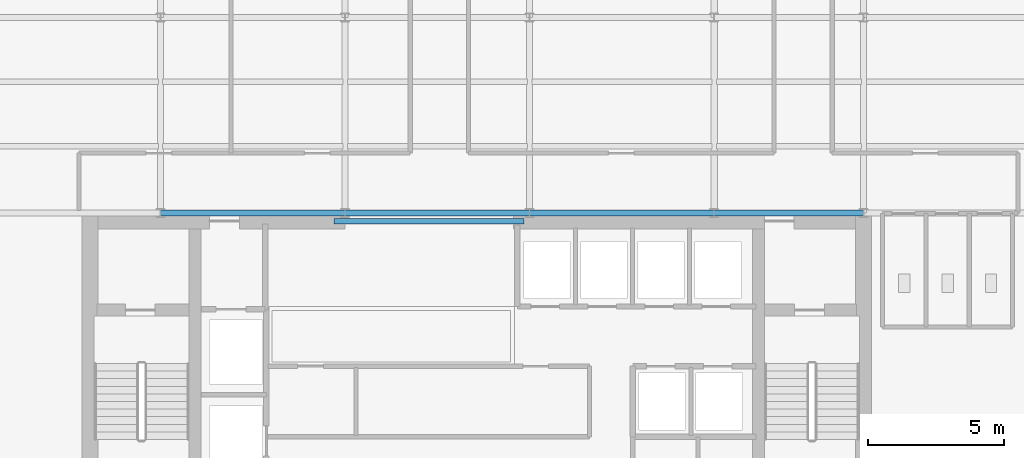
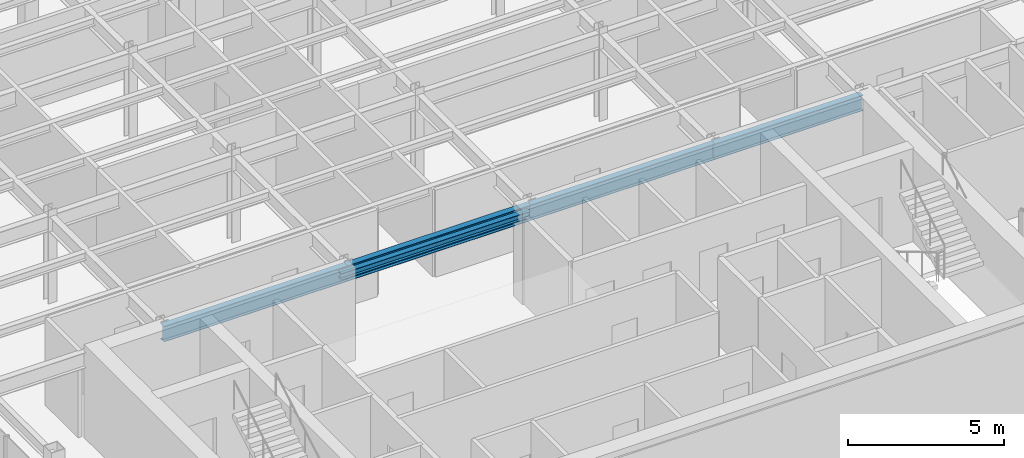
# One storey, part 4 of 22: 5 beams.
"""IFC4 building model written with IfcOpenShell, lengths in metres."""

from ifc_helpers import new_model, si_unit, derived_unit, direction, frame, origin, origin_2d, place, context, subcontext, project, spatial, i_section, extrude, source, transform, mapped, material, material_profile, profile_set, type_object, element, save


model = new_model("IFC4")

# Units and contexts
model_context = context("Model", 3, precision=1e-05, world=origin(), true_north=direction((0.0, 1.0)))
body_context = subcontext(model_context, "Body", "Model", "MODEL_VIEW")
ifc_project = project(units=[si_unit("LENGTHUNIT", "METRE"), si_unit("AREAUNIT", "SQUARE_METRE"), si_unit("VOLUMEUNIT", "CUBIC_METRE"), si_unit("PLANEANGLEUNIT", "RADIAN"), si_unit("MASSUNIT", "GRAM", prefix="KILO"), derived_unit("THERMALTRANSMITTANCEUNIT", [(si_unit("POWERUNIT", "WATT"), 1), (si_unit("LENGTHUNIT", "METRE"), -2), (si_unit("THERMODYNAMICTEMPERATUREUNIT", "KELVIN"), -1)])], contexts=[model_context])

# Site, building, storey
site_placement = place(None, origin())
site = spatial("IfcSite", under=ifc_project, at=site_placement, CompositionType="ELEMENT")
building_placement = place(site_placement, origin())
building = spatial("IfcBuilding", under=site, at=building_placement, Name="Skarnbrae Concourse Arena and Tower", CompositionType="ELEMENT")
storey_placement = place(building_placement, frame((0.0, 0.0, 269.75)))
storey = spatial("IfcBuildingStorey", under=building, at=storey_placement, Name="L70", CompositionType="ELEMENT", Elevation=269.75)

# Beams
ifc_material = material(Name="Steel CSA G40.21 350W", Category="steel")
ifc_material_profile_1 = material_profile(ifc_material, i_section(OverallWidth=0.202880859375, OverallDepth=0.251953125, WebThickness=0.008056640625, FlangeThickness=0.013427734375, at=origin_2d()), Name="W250X58")
ifc_profile_set_1 = profile_set([ifc_material_profile_1], Name="Steel CSA G40.21 350W")
beam_type_1 = type_object("IfcBeamType", Name="BM-LINTEL-W250X58", PredefinedType="LINTEL", material=ifc_profile_set_1)
shared_shape_1 = source(origin(), body_context, "Body", "SweptSolid", [
    extrude(i_section(OverallWidth=0.202880859375, OverallDepth=0.251953125, WebThickness=0.008056640625, FlangeThickness=0.013427734375, at=origin_2d()), origin(), (0.0, 0.0, 1.0), 7.0),
])
beam_1_placement = place(storey_placement, frame((14.0, 13.699951171875, 3.27392578125), z_axis=(1.0, 0.0, 0.0), x_axis=(0.0, 1.0, 0.0)))
element("IfcBeam", 1, at=beam_1_placement, inside=storey, type_object=beam_type_1, Name="L70 Core portal coupling lintel", PredefinedType="LINTEL", context=body_context, shape_type="MappedRepresentation", body=[
    mapped(shared_shape_1, transform((0.0, 0.0, 0.0))),
])
ifc_material_profile_2 = material_profile(ifc_material, i_section(OverallWidth=0.22802734375, OverallDepth=0.60791015625, WebThickness=0.01123046875, FlangeThickness=0.017333984375, at=origin_2d()), Name="W610X113")
ifc_profile_set_2 = profile_set([ifc_material_profile_2], Name="Steel CSA G40.21 350W")
beam_type_2 = type_object("IfcBeamType", Name="BM-GIRD-W610X113", PredefinedType="BEAM", material=ifc_profile_set_2)
shared_shape_2 = source(origin(), body_context, "Body", "SweptSolid", [
    extrude(i_section(OverallWidth=0.22802734375, OverallDepth=0.60791015625, WebThickness=0.01123046875, FlangeThickness=0.017333984375, at=origin_2d()), origin(), (0.0, 0.0, 1.0), 6.7998046875),
])
beam_2_placement = place(storey_placement, frame((7.60009765625, 14.0, 3.095947265625), z_axis=(1.0, 0.0, 0.0), x_axis=(0.0, 1.0, 0.0)))
element("IfcBeam", 2, at=beam_2_placement, inside=storey, type_object=beam_type_2, Name="L70 Primary E-W girder Y14.0-2", PredefinedType="BEAM", context=body_context, shape_type="MappedRepresentation", body=[
    mapped(shared_shape_2, transform((0.0, 0.0, 0.0))),
])
shared_shape_3 = source(origin(), body_context, "Body", "SweptSolid", [
    extrude(i_section(OverallWidth=0.22802734375, OverallDepth=0.60791015625, WebThickness=0.01123046875, FlangeThickness=0.017333984375, at=origin_2d()), origin(), (0.0, 0.0, 1.0), 6.800048828125),
])
for number, where, z_axis, x_axis, name in (
    (3, (14.39990234375, 14.0, 3.095947265625), (1.0, 0.0, 0.0), (0.0, 1.0, 0.0), "L70 Primary E-W girder Y14.0-3"),
    (4, (21.199951171875, 14.0, 3.095947265625), (1.0, 0.0, 0.0), (0.0, 1.0, 0.0), "L70 Primary E-W girder Y14.0-4"),
):
    element("IfcBeam", number, at=place(storey_placement, frame(where, z_axis=z_axis, x_axis=x_axis)), inside=storey, type_object=beam_type_2, Name=name, PredefinedType="BEAM", context=body_context, shape_type="MappedRepresentation", body=[
        mapped(shared_shape_3, transform((0.0, 0.0, 0.0))),
    ])
shared_shape_4 = source(origin(), body_context, "Body", "SweptSolid", [
    extrude(i_section(OverallWidth=0.22802734375, OverallDepth=0.60791015625, WebThickness=0.01123046875, FlangeThickness=0.017333984375, at=origin_2d()), origin(), (0.0, 0.0, 1.0), 5.5),
])
beam_3_placement = place(storey_placement, frame((28.0, 14.0, 3.095947265625), z_axis=(1.0, 0.0, 0.0), x_axis=(0.0, 1.0, 0.0)))
element("IfcBeam", 5, at=beam_3_placement, inside=storey, type_object=beam_type_2, Name="L70 Primary E-W girder Y14.0-5", PredefinedType="BEAM", context=body_context, shape_type="MappedRepresentation", body=[
    mapped(shared_shape_4, transform((0.0, 0.0, 0.0))),
])

save(model, "model.ifc")
